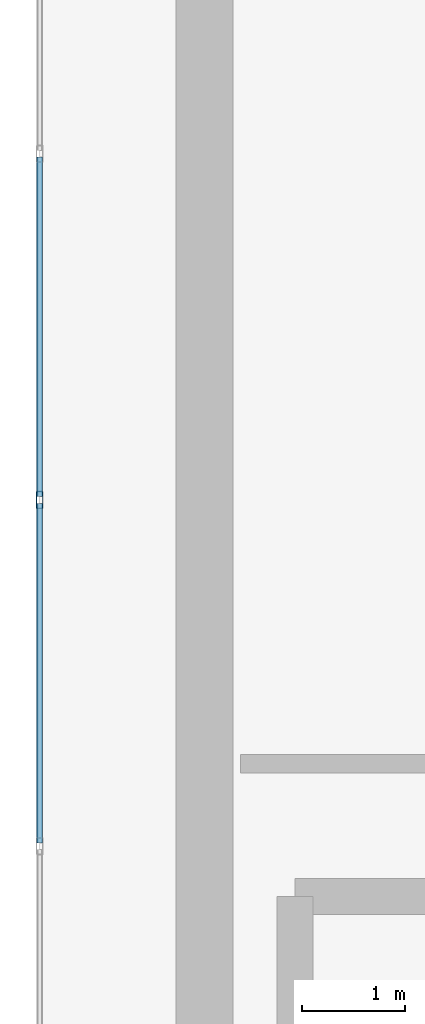
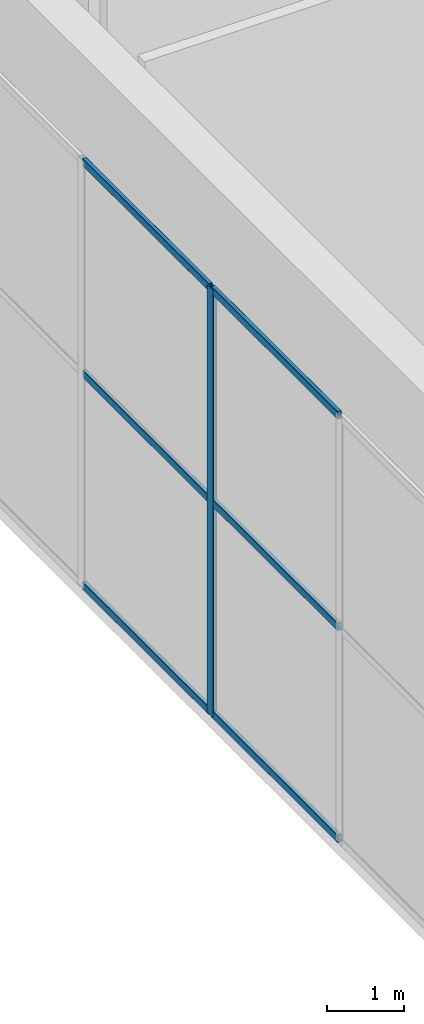
# One storey, part 5 of 24: 7 members, 1 element without a shape of its own.
"""IFC4 building model written with IfcOpenShell, lengths in metres."""

from ifc_helpers import new_model, si_unit, direction, frame, origin, origin_2d, place, context, subcontext, project, spatial, hollow_rectangle, extrude, material, layer, layer_set, material_profile, profile_set, type_object, element, aggregate, save


model = new_model("IFC4")

# Units and contexts
model_context = context("Model", 3, precision=1e-05, world=origin(), true_north=direction((0.0, 1.0)))
body_context = subcontext(model_context, "Body", "Model", "MODEL_VIEW")
ifc_project = project(units=[si_unit("LENGTHUNIT", "METRE"), si_unit("AREAUNIT", "SQUARE_METRE"), si_unit("VOLUMEUNIT", "CUBIC_METRE"), si_unit("PLANEANGLEUNIT", "RADIAN"), si_unit("MASSUNIT", "GRAM", prefix="KILO")], contexts=[model_context])

# Site, building, storey
site_placement = place(None, origin())
site = spatial("IfcSite", under=ifc_project, at=site_placement, CompositionType="ELEMENT")
building_placement = place(site_placement, origin())
building = spatial("IfcBuilding", under=site, at=building_placement, Name="An Khanh Terracotta Commons", CompositionType="ELEMENT")
storey_placement = place(building_placement, frame((0.0, 0.0, 315.199951171875)))
storey = spatial("IfcBuildingStorey", under=building, at=storey_placement, Name="L80 Crown Cooling Plant", CompositionType="ELEMENT", Elevation=315.199951171875)

# Curtain wall, members
ifc_material = material(Name="Anodised Aluminium 6063-T6", Category="aluminium")
ifc_layer = layer(ifc_material, 0.18994140625, Name="Anodised Aluminium 6063-T6")
ifc_layer_set = layer_set([ifc_layer], Name="Anodised Aluminium 6063-T6")
curtain_wall_type = type_object("IfcCurtainWallType", Name="CW-SYS-06", PredefinedType="USERDEFINED", material=ifc_layer_set)
curtain_wall_placement = place(storey_placement, origin())
curtain_wall = element("IfcCurtainWall", 1, at=curtain_wall_placement, inside=storey, type_object=curtain_wall_type, Name="L80 Crown Cooling Plant CW-06 Unitised Curtain Wall CW-L80-24", ObjectType="UNITISED CURTAIN WALL", PredefinedType="USERDEFINED")
ifc_material_profile_1 = material_profile(ifc_material, hollow_rectangle(XDim=0.06494140625, YDim=0.1650390625, WallThickness=0.00390625, InnerFilletRadius=0.00390625, OuterFilletRadius=0.008056640625, at=origin_2d()), Name="RHS165x65x4")
ifc_profile_set_1 = profile_set([ifc_material_profile_1], Name="Anodised Aluminium 6063-T6")
member_type_1 = type_object("IfcMemberType", Name="CWM-RHS165x65x4", PredefinedType="MULLION", material=ifc_profile_set_1)
member_1_placement = place(storey_placement, frame((20.0, 22.320068359375, 0.0), z_axis=(0.0, 0.0, 1.0), x_axis=(1.0, 0.0, 0.0)))
member_1 = element("IfcMember", 2, at=member_1_placement, type_object=member_type_1, Name="CW-06 mullion 4", PredefinedType="MULLION", context=body_context, shape_type="SweptSolid", body=[
    extrude(hollow_rectangle(XDim=0.06494140625, YDim=0.1650390625, WallThickness=0.00390625, InnerFilletRadius=0.00390625, OuterFilletRadius=0.008056640625, at=origin_2d()), origin(), (0.0, 0.0, 1.0), 6.800048828125),
])
ifc_material_profile_2 = material_profile(ifc_material, hollow_rectangle(XDim=0.06005859375, YDim=0.1201171875, WallThickness=0.003662109375, InnerFilletRadius=0.003662109375, OuterFilletRadius=0.007080078125, at=origin_2d()), Name="RHS120x60x3.6")
ifc_profile_set_2 = profile_set([ifc_material_profile_2], Name="Anodised Aluminium 6063-T6")
member_type_2 = type_object("IfcMemberType", Name="CWT-RHS120x60x3.6", PredefinedType="USERDEFINED", material=ifc_profile_set_2)
member_2_placement = place(storey_placement, frame((20.0, 25.6474609375, 0.030029296875), z_axis=(0.0, -1.0, 0.0), x_axis=(1.0, 0.0, 0.0)))
member_2 = element("IfcMember", 3, at=member_2_placement, type_object=member_type_2, Name="CW-06 transom 3.1", ObjectType="TRANSOM", PredefinedType="USERDEFINED", context=body_context, shape_type="SweptSolid", body=[
    extrude(hollow_rectangle(XDim=0.06005859375, YDim=0.1201171875, WallThickness=0.003662109375, InnerFilletRadius=0.003662109375, OuterFilletRadius=0.007080078125, at=origin_2d()), origin(), (0.0, 0.0, 1.0), 3.294921875),
])
member_3_placement = place(storey_placement, frame((20.0, 25.6474609375, 3.400146484375), z_axis=(0.0, -1.0, 0.0), x_axis=(1.0, 0.0, 0.0)))
member_3 = element("IfcMember", 4, at=member_3_placement, type_object=member_type_2, Name="CW-06 transom 3.2", ObjectType="TRANSOM", PredefinedType="USERDEFINED", context=body_context, shape_type="SweptSolid", body=[
    extrude(hollow_rectangle(XDim=0.06005859375, YDim=0.1201171875, WallThickness=0.003662109375, InnerFilletRadius=0.003662109375, OuterFilletRadius=0.007080078125, at=origin_2d()), origin(), (0.0, 0.0, 1.0), 3.294921875),
])
member_4_placement = place(storey_placement, frame((20.0, 25.6474609375, 6.77001953125), z_axis=(0.0, -1.0, 0.0), x_axis=(1.0, 0.0, 0.0)))
member_4 = element("IfcMember", 5, at=member_4_placement, type_object=member_type_2, Name="CW-06 transom 3.3", ObjectType="TRANSOM", PredefinedType="USERDEFINED", context=body_context, shape_type="SweptSolid", body=[
    extrude(hollow_rectangle(XDim=0.06005859375, YDim=0.1201171875, WallThickness=0.003662109375, InnerFilletRadius=0.003662109375, OuterFilletRadius=0.007080078125, at=origin_2d()), origin(), (0.0, 0.0, 1.0), 3.294921875),
])
member_5_placement = place(storey_placement, frame((20.0, 22.28759765625, 0.030029296875), z_axis=(0.0, -1.0, 0.0), x_axis=(1.0, 0.0, 0.0)))
member_5 = element("IfcMember", 6, at=member_5_placement, type_object=member_type_2, Name="CW-06 transom 4.1", ObjectType="TRANSOM", PredefinedType="USERDEFINED", context=body_context, shape_type="SweptSolid", body=[
    extrude(hollow_rectangle(XDim=0.06005859375, YDim=0.1201171875, WallThickness=0.003662109375, InnerFilletRadius=0.003662109375, OuterFilletRadius=0.007080078125, at=origin_2d()), origin(), (0.0, 0.0, 1.0), 3.295166015625),
])
member_6_placement = place(storey_placement, frame((20.0, 22.28759765625, 3.400146484375), z_axis=(0.0, -1.0, 0.0), x_axis=(1.0, 0.0, 0.0)))
member_6 = element("IfcMember", 7, at=member_6_placement, type_object=member_type_2, Name="CW-06 transom 4.2", ObjectType="TRANSOM", PredefinedType="USERDEFINED", context=body_context, shape_type="SweptSolid", body=[
    extrude(hollow_rectangle(XDim=0.06005859375, YDim=0.1201171875, WallThickness=0.003662109375, InnerFilletRadius=0.003662109375, OuterFilletRadius=0.007080078125, at=origin_2d()), origin(), (0.0, 0.0, 1.0), 3.295166015625),
])
member_7_placement = place(storey_placement, frame((20.0, 22.28759765625, 6.77001953125), z_axis=(0.0, -1.0, 0.0), x_axis=(1.0, 0.0, 0.0)))
member_7 = element("IfcMember", 8, at=member_7_placement, type_object=member_type_2, Name="CW-06 transom 4.3", ObjectType="TRANSOM", PredefinedType="USERDEFINED", context=body_context, shape_type="SweptSolid", body=[
    extrude(hollow_rectangle(XDim=0.06005859375, YDim=0.1201171875, WallThickness=0.003662109375, InnerFilletRadius=0.003662109375, OuterFilletRadius=0.007080078125, at=origin_2d()), origin(), (0.0, 0.0, 1.0), 3.295166015625),
])
aggregate(curtain_wall, [member_1, member_2, member_3, member_4, member_5, member_6, member_7])

save(model, "model.ifc")
